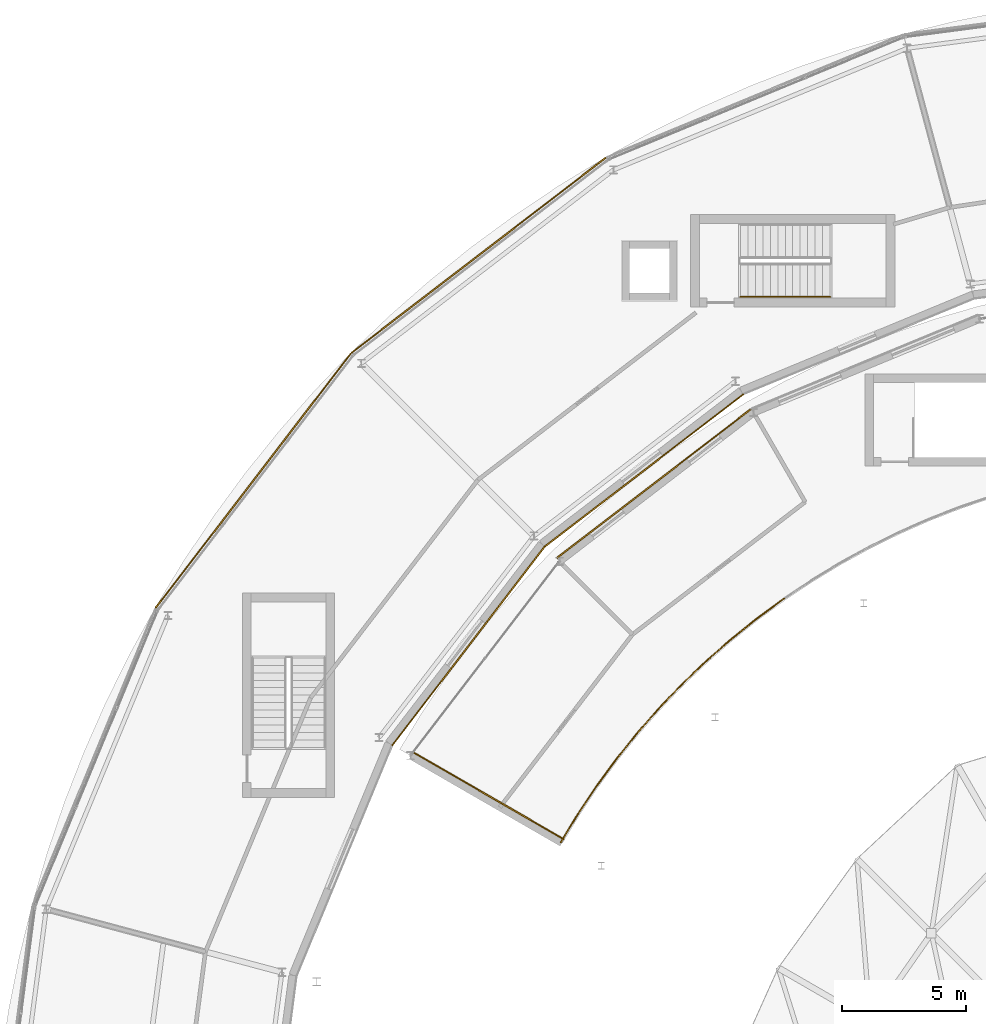
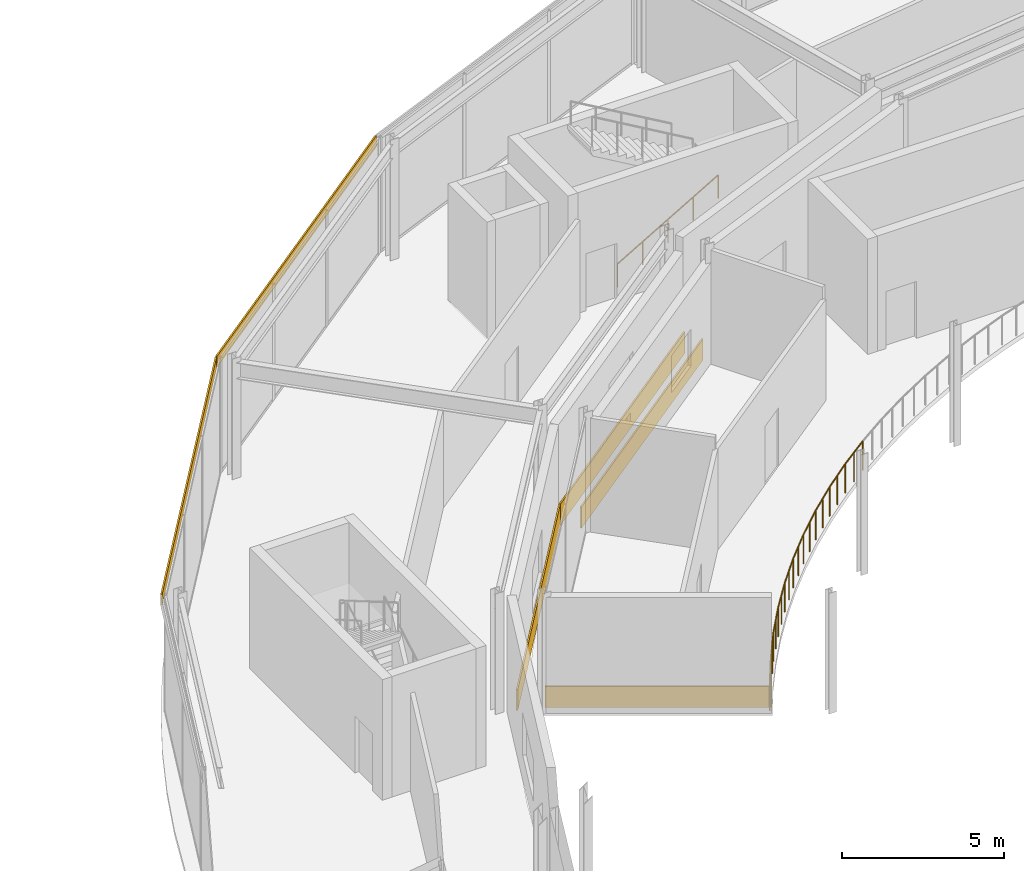
# One storey, part 105 of 116: 11 railings, 6 coverings.
"""IFC4 building model written with IfcOpenShell, lengths in metres."""

from ifc_helpers import new_model, si_unit, direction, frame, origin, origin_2d, place, context, subcontext, project, spatial, rectangle, circle, extrude, material, layer, layer_set, type_object, element, save


model = new_model("IFC4")

# Units and contexts
model_context = context("Model", 3, precision=1e-05, world=origin(), true_north=direction((0.0, 1.0)))
body_context = subcontext(model_context, "Body", "Model", "MODEL_VIEW")
ifc_project = project(units=[si_unit("LENGTHUNIT", "METRE"), si_unit("AREAUNIT", "SQUARE_METRE"), si_unit("VOLUMEUNIT", "CUBIC_METRE"), si_unit("PLANEANGLEUNIT", "RADIAN"), si_unit("MASSUNIT", "GRAM", prefix="KILO")], contexts=[model_context])

# Site, building, storey
site_placement = place(None, origin())
site = spatial("IfcSite", under=ifc_project, at=site_placement, CompositionType="ELEMENT")
building_placement = place(site_placement, origin())
building = spatial("IfcBuilding", under=site, at=building_placement, Name="Almandine Court Research Institute", CompositionType="ELEMENT")
storey_placement = place(building_placement, frame((0.0, 0.0, 14.35009765625)))
storey = spatial("IfcBuildingStorey", under=building, at=storey_placement, Name="L03", CompositionType="ELEMENT", Elevation=14.35009765625)

# Coverings
ifc_material_1 = material(Name="Extruded Cream-Ochre Seismic Terracotta Spandrel", Category="masonry")
ifc_layer = layer(ifc_material_1, 0.054931640625)
ifc_layer_set = layer_set([ifc_layer], Name="Extruded Cream-Ochre Seismic Terracotta Spandrel")
covering_type = type_object("IfcCoveringType", Name="Cov-CLAD-TERR", PredefinedType="CLADDING", material=ifc_layer_set)
covering_1_placement = place(storey_placement, frame((57.135009765625, 94.919921875, 3.97998046875), z_axis=(0.0, 0.0, 1.0), x_axis=(0.793353340291, 0.608761429009, 0.0)))
element("IfcCovering", 1, at=covering_1_placement, inside=storey, type_object=covering_type, Name="L03 Drum Stacked Terracotta Ring Band 08", PredefinedType="CLADDING", context=body_context, shape_type="SweptSolid", body=[
    extrude(rectangle(XDim=12.8779296875, YDim=0.054931640625, at=origin_2d()), origin(), (0.0, 0.0, 1.0), 0.419921875),
])
covering_2_placement = place(storey_placement, frame((63.77001953125, 86.27392578125, 0.02001953125), z_axis=(0.0, 0.0, 1.0), x_axis=(-0.793353340291, -0.608761429009, 0.0)))
element("IfcCovering", 2, at=covering_2_placement, inside=storey, type_object=covering_type, Name="L03 Facade Spandrel Cladding Band 391", PredefinedType="CLADDING", context=body_context, shape_type="SweptSolid", body=[
    extrude(rectangle(XDim=10.080078125, YDim=0.054931640625, at=origin_2d()), origin(), (0.0, 0.0, 1.0), 0.800048828125),
])
covering_3_placement = place(storey_placement, frame((48.080078125, 85.864990234375, 3.97998046875), z_axis=(0.0, 0.0, 1.0), x_axis=(0.608761429009, 0.793353340291, 0.0)))
element("IfcCovering", 3, at=covering_3_placement, inside=storey, type_object=covering_type, Name="L03 Drum Stacked Terracotta Ring Band 09", PredefinedType="CLADDING", context=body_context, shape_type="SweptSolid", body=[
    extrude(rectangle(XDim=12.8779296875, YDim=0.054931640625, at=origin_2d()), origin(), (0.0, 0.0, 1.0), 0.419921875),
])
covering_4_placement = place(storey_placement, frame((56.72607421875, 79.22998046875, 0.02001953125), z_axis=(0.0, 0.0, 1.0), x_axis=(-0.608761429009, -0.793353340291, 0.0)))
element("IfcCovering", 4, at=covering_4_placement, inside=storey, type_object=covering_type, Name="L03 Facade Spandrel Cladding Band 393", PredefinedType="CLADDING", context=body_context, shape_type="SweptSolid", body=[
    extrude(rectangle(XDim=10.080078125, YDim=0.054931640625, at=origin_2d()), origin(), (0.0, 0.0, 1.0), 0.800048828125),
])
covering_5_placement = place(storey_placement, frame((64.173095703125, 85.7490234375, 0.02001953125), z_axis=(0.0, 0.0, 1.0), x_axis=(0.793353340291, 0.608761429009, 0.0)))
element("IfcCovering", 5, at=covering_5_placement, inside=storey, type_object=covering_type, Name="L03 Facade Spandrel Cladding Band 469", PredefinedType="CLADDING", context=body_context, shape_type="SweptSolid", body=[
    extrude(rectangle(XDim=9.820068359375, YDim=0.054931640625, at=origin_2d()), origin(), (0.0, 0.0, 1.0), 0.800048828125),
])
covering_6_placement = place(storey_placement, frame((57.531982421875, 73.2099609375, 0.02001953125), z_axis=(0.0, 0.0, 1.0), x_axis=(0.866025403784, -0.5, 0.0)))
element("IfcCovering", 6, at=covering_6_placement, inside=storey, type_object=covering_type, Name="L03 Facade Spandrel Cladding Band 471", PredefinedType="CLADDING", context=body_context, shape_type="SweptSolid", body=[
    extrude(rectangle(XDim=7.001953125, YDim=0.054931640625, at=origin_2d()), origin(), (0.0, 0.0, 1.0), 0.800048828125),
])

# Railings
ifc_material_2 = material(Name="Powder-Coated Steel Stair and Atrium Balustrade", Category="steel")
railing_type_1 = type_object("IfcRailingType", Name="Rail-GUARD-INT", PredefinedType="BALUSTRADE", material=ifc_material_2)
railing_1_placement = place(storey_placement, frame((69.403076171875, 81.132080078125, 0.0)))
element("IfcRailing", 7, at=railing_1_placement, inside=storey, type_object=railing_type_1, Name="L03 Atrium Gallery Void Balustrade 051", PredefinedType="BALUSTRADE", context=body_context, shape_type="SweptSolid", body=[
    extrude(circle(Radius=0.02392578125, at=origin_2d()), frame((0.0, 0.0, 1.09619140625), z_axis=(-0.806428175969, -0.591332053084, 0.0), x_axis=(0.591332053084, -0.806428175969, 0.0)), (0.0, 0.0, 1.0), 1.33935546875),
    extrude(circle(Radius=0.02099609375, at=origin_2d()), origin(), (0.0, 0.0, 1.0), 1.072021484375),
    extrude(circle(Radius=0.02099609375, at=origin_2d()), frame((-0.5400390625, -0.39599609375, 0.0)), (0.0, 0.0, 1.0), 1.072021484375),
    extrude(circle(Radius=0.02099609375, at=origin_2d()), frame((-1.080078125, -0.7919921875, 0.0)), (0.0, 0.0, 1.0), 1.072021484375),
])
railing_2_placement = place(storey_placement, frame((68.322998046875, 80.340087890625, 0.0)))
element("IfcRailing", 8, at=railing_2_placement, inside=storey, type_object=railing_type_1, Name="L03 Atrium Gallery Void Balustrade 052", PredefinedType="BALUSTRADE", context=body_context, shape_type="SweptSolid", body=[
    extrude(circle(Radius=0.02392578125, at=origin_2d()), frame((0.0, 0.0, 1.09619140625), z_axis=(-0.779782351347, -0.626050704438, 0.0), x_axis=(0.626050704438, -0.779782351347, 0.0)), (0.0, 0.0, 1.0), 1.3388671875),
    extrude(circle(Radius=0.02099609375, at=origin_2d()), origin(), (0.0, 0.0, 1.0), 1.072021484375),
    extrude(circle(Radius=0.02099609375, at=origin_2d()), frame((-0.52197265625, -0.4189453125, 0.0)), (0.0, 0.0, 1.0), 1.072021484375),
    extrude(circle(Radius=0.02099609375, at=origin_2d()), frame((-1.0439453125, -0.838134765625, 0.0)), (0.0, 0.0, 1.0), 1.072021484375),
])
railing_3_placement = place(storey_placement, frame((67.279052734375, 79.501953125, 0.0)))
element("IfcRailing", 9, at=railing_3_placement, inside=storey, type_object=railing_type_1, Name="L03 Atrium Gallery Void Balustrade 053", PredefinedType="BALUSTRADE", context=body_context, shape_type="SweptSolid", body=[
    extrude(circle(Radius=0.02392578125, at=origin_2d()), frame((0.0, 0.0, 1.09619140625), z_axis=(-0.752022512464, -0.659137421747, 0.0), x_axis=(0.659137421747, -0.752022512464, 0.0)), (0.0, 0.0, 1.0), 1.337890625),
    extrude(circle(Radius=0.02099609375, at=origin_2d()), origin(), (0.0, 0.0, 1.0), 1.072021484375),
    extrude(circle(Radius=0.02099609375, at=origin_2d()), frame((-0.5029296875, -0.44091796875, 0.0)), (0.0, 0.0, 1.0), 1.072021484375),
    extrude(circle(Radius=0.02099609375, at=origin_2d()), frame((-1.006103515625, -0.8818359375, 0.0)), (0.0, 0.0, 1.0), 1.072021484375),
])
railing_4_placement = place(storey_placement, frame((66.27294921875, 78.6201171875, 0.0)))
element("IfcRailing", 10, at=railing_4_placement, inside=storey, type_object=railing_type_1, Name="L03 Atrium Gallery Void Balustrade 054", PredefinedType="BALUSTRADE", context=body_context, shape_type="SweptSolid", body=[
    extrude(circle(Radius=0.02392578125, at=origin_2d()), frame((0.0, 0.0, 1.09619140625), z_axis=(-0.722257620841, -0.691624124173, 0.0), x_axis=(0.691624124173, -0.722257620841, 0.0)), (0.0, 0.0, 1.0), 1.3388671875),
    extrude(circle(Radius=0.02099609375, at=origin_2d()), origin(), (0.0, 0.0, 1.0), 1.072021484375),
    extrude(circle(Radius=0.02099609375, at=origin_2d()), frame((-0.4833984375, -0.462890625, 0.0)), (0.0, 0.0, 1.0), 1.072021484375),
    extrude(circle(Radius=0.02099609375, at=origin_2d()), frame((-0.967041015625, -0.926025390625, 0.0)), (0.0, 0.0, 1.0), 1.072021484375),
])
railing_5_placement = place(storey_placement, frame((65.305908203125, 77.694091796875, 0.0)))
element("IfcRailing", 11, at=railing_5_placement, inside=storey, type_object=railing_type_1, Name="L03 Atrium Gallery Void Balustrade 055", PredefinedType="BALUSTRADE", context=body_context, shape_type="SweptSolid", body=[
    extrude(circle(Radius=0.02392578125, at=origin_2d()), frame((0.0, 0.0, 1.09619140625), z_axis=(-0.691624124173, -0.722257620841, 0.0), x_axis=(0.722257620841, -0.691624124173, 0.0)), (0.0, 0.0, 1.0), 1.3388671875),
    extrude(circle(Radius=0.02099609375, at=origin_2d()), origin(), (0.0, 0.0, 1.0), 1.072021484375),
    extrude(circle(Radius=0.02099609375, at=origin_2d()), frame((-0.462890625, -0.4833984375, 0.0)), (0.0, 0.0, 1.0), 1.072021484375),
    extrude(circle(Radius=0.02099609375, at=origin_2d()), frame((-0.926025390625, -0.967041015625, 0.0)), (0.0, 0.0, 1.0), 1.072021484375),
])
railing_6_placement = place(storey_placement, frame((64.3798828125, 76.72705078125, 0.0)))
element("IfcRailing", 12, at=railing_6_placement, inside=storey, type_object=railing_type_1, Name="L03 Atrium Gallery Void Balustrade 056", PredefinedType="BALUSTRADE", context=body_context, shape_type="SweptSolid", body=[
    extrude(circle(Radius=0.02392578125, at=origin_2d()), frame((0.0, 0.0, 1.09619140625), z_axis=(-0.659137421747, -0.752022512464, 0.0), x_axis=(0.752022512464, -0.659137421747, 0.0)), (0.0, 0.0, 1.0), 1.337890625),
    extrude(circle(Radius=0.02099609375, at=origin_2d()), origin(), (0.0, 0.0, 1.0), 1.072021484375),
    extrude(circle(Radius=0.02099609375, at=origin_2d()), frame((-0.44091796875, -0.5029296875, 0.0)), (0.0, 0.0, 1.0), 1.072021484375),
    extrude(circle(Radius=0.02099609375, at=origin_2d()), frame((-0.8818359375, -1.006103515625, 0.0)), (0.0, 0.0, 1.0), 1.072021484375),
])
railing_7_placement = place(storey_placement, frame((63.498046875, 75.720947265625, 0.0)))
element("IfcRailing", 13, at=railing_7_placement, inside=storey, type_object=railing_type_1, Name="L03 Atrium Gallery Void Balustrade 057", PredefinedType="BALUSTRADE", context=body_context, shape_type="SweptSolid", body=[
    extrude(circle(Radius=0.02392578125, at=origin_2d()), frame((0.0, 0.0, 1.09619140625), z_axis=(-0.626050704438, -0.779782351347, 0.0), x_axis=(0.779782351347, -0.626050704438, 0.0)), (0.0, 0.0, 1.0), 1.3388671875),
    extrude(circle(Radius=0.02099609375, at=origin_2d()), origin(), (0.0, 0.0, 1.0), 1.072021484375),
    extrude(circle(Radius=0.02099609375, at=origin_2d()), frame((-0.4189453125, -0.52197265625, 0.0)), (0.0, 0.0, 1.0), 1.072021484375),
    extrude(circle(Radius=0.02099609375, at=origin_2d()), frame((-0.838134765625, -1.0439453125, 0.0)), (0.0, 0.0, 1.0), 1.072021484375),
])
railing_8_placement = place(storey_placement, frame((62.659912109375, 74.677001953125, 0.0)))
element("IfcRailing", 14, at=railing_8_placement, inside=storey, type_object=railing_type_1, Name="L03 Atrium Gallery Void Balustrade 058", PredefinedType="BALUSTRADE", context=body_context, shape_type="SweptSolid", body=[
    extrude(circle(Radius=0.02392578125, at=origin_2d()), frame((0.0, 0.0, 1.09619140625), z_axis=(-0.591332053084, -0.806428175969, 0.0), x_axis=(0.806428175969, -0.591332053084, 0.0)), (0.0, 0.0, 1.0), 1.33935546875),
    extrude(circle(Radius=0.02099609375, at=origin_2d()), origin(), (0.0, 0.0, 1.0), 1.072021484375),
    extrude(circle(Radius=0.02099609375, at=origin_2d()), frame((-0.39599609375, -0.5400390625, 0.0)), (0.0, 0.0, 1.0), 1.072021484375),
    extrude(circle(Radius=0.02099609375, at=origin_2d()), frame((-0.7919921875, -1.080078125, 0.0)), (0.0, 0.0, 1.0), 1.072021484375),
])
railing_9_placement = place(storey_placement, frame((61.867919921875, 73.596923828125, 0.0)))
element("IfcRailing", 15, at=railing_9_placement, inside=storey, type_object=railing_type_1, Name="L03 Atrium Gallery Void Balustrade 059", PredefinedType="BALUSTRADE", context=body_context, shape_type="SweptSolid", body=[
    extrude(circle(Radius=0.02392578125, at=origin_2d()), frame((0.0, 0.0, 1.09619140625), z_axis=(-0.555163225812, -0.831741421781, 0.0), x_axis=(0.831741421781, -0.555163225812, 0.0)), (0.0, 0.0, 1.0), 1.338134765625),
    extrude(circle(Radius=0.02099609375, at=origin_2d()), origin(), (0.0, 0.0, 1.0), 1.072021484375),
    extrude(circle(Radius=0.02099609375, at=origin_2d()), frame((-0.37158203125, -0.556640625, 0.0)), (0.0, 0.0, 1.0), 1.072021484375),
    extrude(circle(Radius=0.02099609375, at=origin_2d()), frame((-0.742919921875, -1.113037109375, 0.0)), (0.0, 0.0, 1.0), 1.072021484375),
])
railing_10_placement = place(storey_placement, frame((61.125, 72.48388671875, 0.0)))
element("IfcRailing", 16, at=railing_10_placement, inside=storey, type_object=railing_type_1, Name="L03 Atrium Gallery Void Balustrade 060", PredefinedType="BALUSTRADE", context=body_context, shape_type="SweptSolid", body=[
    extrude(circle(Radius=0.02392578125, at=origin_2d()), frame((0.0, 0.0, 1.09619140625), z_axis=(-0.519316050282, -0.854582260475, 0.0), x_axis=(0.854582260475, -0.519316050282, 0.0)), (0.0, 0.0, 1.0), 1.33837890625),
    extrude(circle(Radius=0.02099609375, at=origin_2d()), origin(), (0.0, 0.0, 1.0), 1.072021484375),
    extrude(circle(Radius=0.02099609375, at=origin_2d()), frame((-0.34765625, -0.57177734375, 0.0)), (0.0, 0.0, 1.0), 1.072021484375),
    extrude(circle(Radius=0.02099609375, at=origin_2d()), frame((-0.695068359375, -1.143798828125, 0.0)), (0.0, 0.0, 1.0), 1.072021484375),
])
ifc_material_3 = material(Name="Brushed Stainless Steel Wall Handrail", Category="steel")
railing_type_2 = type_object("IfcRailingType", Name="Rail-HAND-INT", PredefinedType="HANDRAIL", material=ifc_material_3)
railing_11_placement = place(storey_placement, frame((67.64990234375, 93.25, 0.1748046875)))
element("IfcRailing", 17, at=railing_11_placement, inside=storey, type_object=railing_type_2, Name="L03 ST-10 stair handrail 1", PredefinedType="HANDRAIL", context=body_context, shape_type="SweptSolid", body=[
    extrude(circle(Radius=0.02392578125, at=origin_2d()), frame((0.0, 0.0, 0.8759765625), z_axis=(0.863774651768, 0.0, 0.503878309678), x_axis=(0.0, 1.0, 0.0)), (0.0, 0.0, 1.0), 4.16796875),
    extrude(circle(Radius=0.02099609375, at=origin_2d()), origin(), (0.0, 0.0, 1.0), 0.851806640625),
    extrude(circle(Radius=0.02099609375, at=origin_2d()), frame((0.89990234375, 0.0, 0.52490234375)), (0.0, 0.0, 1.0), 0.851806640625),
    extrude(circle(Radius=0.02099609375, at=origin_2d()), frame((1.800048828125, 0.0, 1.050048828125)), (0.0, 0.0, 1.0), 0.851806640625),
    extrude(circle(Radius=0.02099609375, at=origin_2d()), frame((2.7001953125, 0.0, 1.5751953125)), (0.0, 0.0, 1.0), 0.851806640625),
    extrude(circle(Radius=0.02099609375, at=origin_2d()), frame((3.60009765625, 0.0, 2.10009765625)), (0.0, 0.0, 1.0), 0.851806640625),
])

save(model, "model.ifc")
